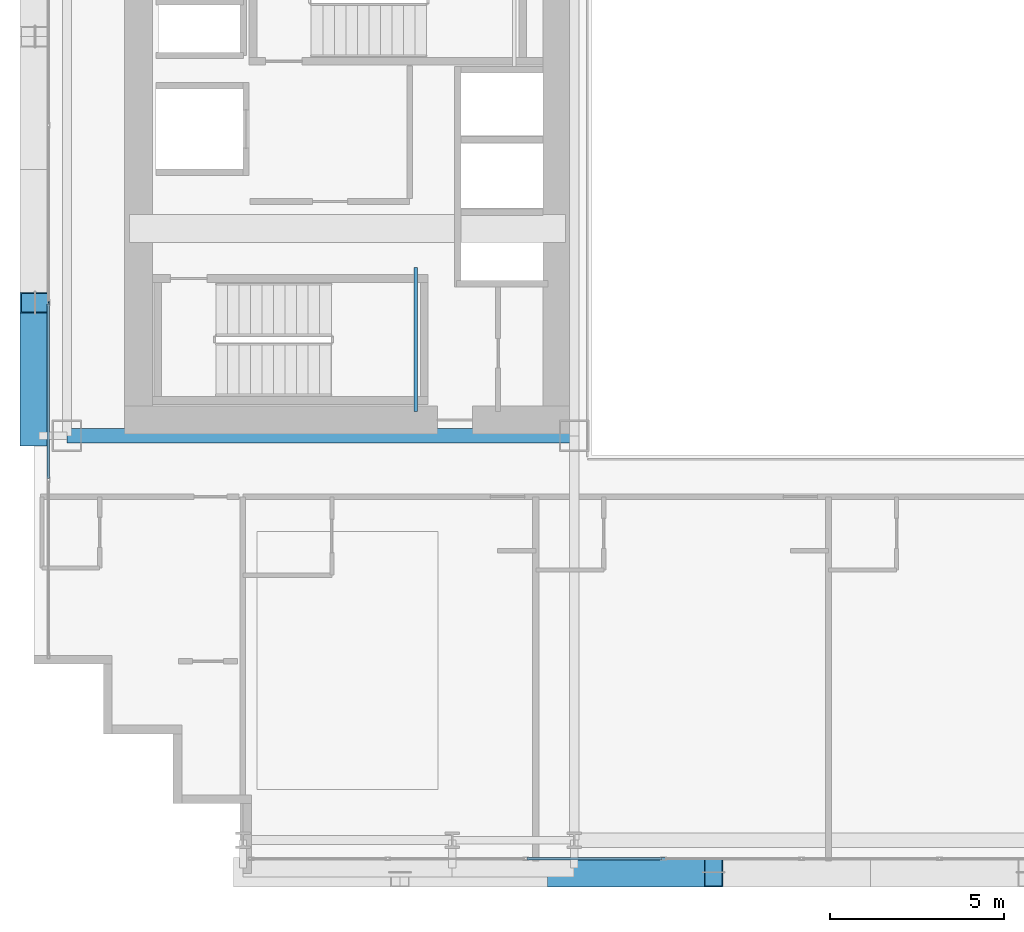
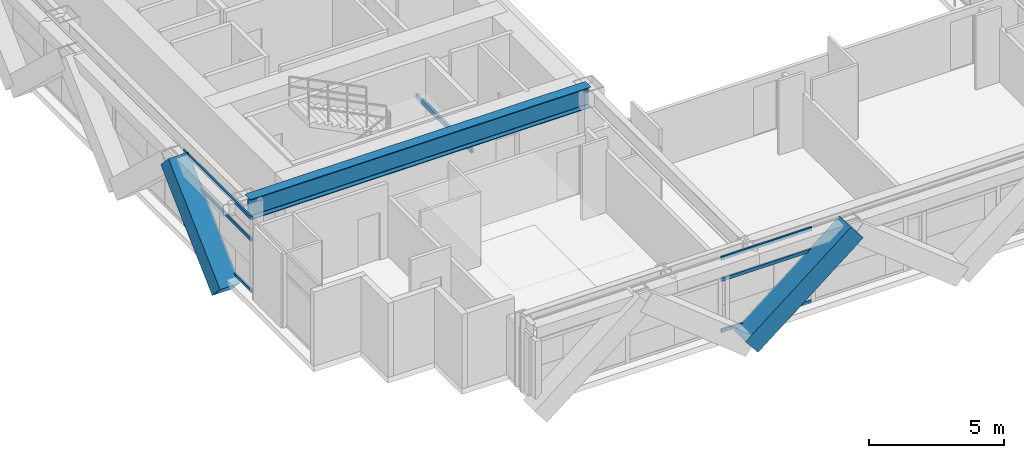
# One storey, part 4 of 35: 8 members, 2 beams, 2 elements without a shape of their own.
"""IFC4 building model written with IfcOpenShell, lengths in metres."""

from ifc_helpers import new_model, si_unit, direction, frame, origin, origin_2d, place, context, subcontext, project, spatial, hollow_rectangle, i_section, extrude, source, transform, mapped, material, layer, layer_set, material_profile, profile_set, type_object, element, aggregate, save


model = new_model("IFC4")

# Units and contexts
model_context = context("Model", 3, precision=1e-05, world=origin(), true_north=direction((0.0, 1.0)))
body_context = subcontext(model_context, "Body", "Model", "MODEL_VIEW")
ifc_project = project(units=[si_unit("LENGTHUNIT", "METRE"), si_unit("AREAUNIT", "SQUARE_METRE"), si_unit("VOLUMEUNIT", "CUBIC_METRE"), si_unit("PLANEANGLEUNIT", "RADIAN"), si_unit("MASSUNIT", "GRAM", prefix="KILO")], contexts=[model_context])

# Site, building, storey
site_placement = place(None, origin())
site = spatial("IfcSite", under=ifc_project, at=site_placement, CompositionType="ELEMENT")
building_placement = place(site_placement, origin())
building = spatial("IfcBuilding", under=site, at=building_placement, Name="Ocotamira Hotel", CompositionType="ELEMENT")
storey_placement = place(building_placement, frame((0.0, 0.0, 63.60009765625)))
storey = spatial("IfcBuildingStorey", under=building, at=storey_placement, Name="L15", CompositionType="ELEMENT", Elevation=63.60009765625)

# Beams
ifc_material_1 = material(Name="Steel ASTM A500 Grade C", Category="steel")
ifc_material_profile_1 = material_profile(ifc_material_1, hollow_rectangle(XDim=0.10009765625, YDim=0.199951171875, WallThickness=0.008056640625, at=origin_2d()), Name="HSS200X100X8")
ifc_profile_set_1 = profile_set([ifc_material_profile_1], Name="Steel ASTM A500 Grade C")
beam_type_1 = type_object("IfcBeamType", Name="BM-STLDG-HSS200", PredefinedType="BEAM", material=ifc_profile_set_1)
shared_shape_1 = source(origin(), body_context, "Body", "SweptSolid", [
    extrude(hollow_rectangle(XDim=0.10009765625, YDim=0.199951171875, WallThickness=0.008056640625, at=origin_2d()), origin(), (0.0, 0.0, 1.0), 4.1201171875),
])
beam_1_placement = place(storey_placement, frame((18.949951171875, 15.25, 1.5), z_axis=(0.0, 1.0, 0.0), x_axis=(-1.0, 0.0, 0.0)))
element("IfcBeam", 1, at=beam_1_placement, inside=storey, type_object=beam_type_1, Name="L15 Stair ST-1 Landing Bearer 1", PredefinedType="BEAM", context=body_context, shape_type="MappedRepresentation", body=[
    mapped(shared_shape_1, transform((0.0, 0.0, 0.0), scale=1.0)),
])
ifc_material_2 = material(Name="Steel ASTM A992 Grade 50", Category="steel")
ifc_material_profile_2 = material_profile(ifc_material_2, i_section(OverallWidth=0.41796875, OverallDepth=0.927001953125, WebThickness=0.019287109375, FlangeThickness=0.031982421875, FilletRadius=0.02392578125, at=origin_2d()), Name="W36X231")
ifc_profile_set_2 = profile_set([ifc_material_profile_2], Name="Steel ASTM A992 Grade 50")
beam_type_2 = type_object("IfcBeamType", Name="BM-GIRD-W36X231", PredefinedType="BEAM", material=ifc_profile_set_2)
shared_shape_2 = source(origin(), body_context, "Body", "SweptSolid", [
    extrude(i_section(OverallWidth=0.41796875, OverallDepth=0.927001953125, WebThickness=0.019287109375, FlangeThickness=0.031982421875, FilletRadius=0.02392578125, at=origin_2d()), origin(), (0.0, 0.0, 1.0), 14.550048828125),
])
beam_2_placement = place(storey_placement, frame((8.949951171875, 14.550048828125, 2.886474609375), z_axis=(1.0, 0.0, 0.0), x_axis=(0.0, 1.0, 0.0)))
element("IfcBeam", 2, at=beam_2_placement, inside=storey, type_object=beam_type_2, Name="L15 Girder Y14.55 X8.95-23.5", PredefinedType="BEAM", context=body_context, shape_type="MappedRepresentation", body=[
    mapped(shared_shape_2, transform((0.0, 0.0, 0.0), scale=1.0)),
])

# Members
ifc_material_3 = material(Name="Pale-metal coated steel ASTM A913 Grade 65", Category="steel")
ifc_material_profile_3 = material_profile(ifc_material_3, hollow_rectangle(XDim=0.85009765625, YDim=0.85009765625, WallThickness=0.035888671875, at=origin_2d()), Name="BOX850X850X36")
ifc_profile_set_3 = profile_set([ifc_material_profile_3], Name="Pale-metal coated steel ASTM A913 Grade 65")
member_type_1 = type_object("IfcMemberType", Name="MEM-EXO-BOX850", PredefinedType="BRACE", material=ifc_profile_set_3)
shared_shape_3 = source(origin(), body_context, "Body", "SweptSolid", [
    extrude(hollow_rectangle(XDim=0.85009765625, YDim=0.85009765625, WallThickness=0.035888671875, at=origin_2d()), origin(), (0.0, 0.0, 1.0), 5.7626953125),
])
member_1_placement = place(storey_placement, frame((23.0, 2.030029296875, -0.5), z_axis=(0.780881208953, 0.0, 0.624679547852), x_axis=(0.0, 1.0, 0.0)))
element("IfcMember", 3, at=member_1_placement, inside=storey, type_object=member_type_1, Name="L15 Exoskeleton Diagrid S1.1", PredefinedType="BRACE", context=body_context, shape_type="MappedRepresentation", body=[
    mapped(shared_shape_3, transform((0.0, 0.0, 0.0), scale=1.0)),
])
shared_shape_4 = source(origin(), body_context, "Body", "SweptSolid", [
    extrude(hollow_rectangle(XDim=0.85009765625, YDim=0.85009765625, WallThickness=0.035888671875, at=origin_2d()), origin(), (0.0, 0.0, 1.0), 5.24658203125),
])
member_2_placement = place(storey_placement, frame((8.030029296875, 14.550048828125, -0.5), z_axis=(0.0, 0.72746596067, 0.686143772154), x_axis=(-1.0, 0.0, 0.0)))
element("IfcMember", 4, at=member_2_placement, inside=storey, type_object=member_type_1, Name="L15 Exoskeleton Diagrid W0.1", PredefinedType="BRACE", context=body_context, shape_type="MappedRepresentation", body=[
    mapped(shared_shape_4, transform((0.0, 0.0, 0.0), scale=1.0)),
])

# Curtain wall, members
ifc_material_4 = material(Name="Anodised pale-metal aluminium and solar glass", Category="aluminium")
ifc_layer = layer(ifc_material_4, 0.179931640625)
ifc_layer_set = layer_set([ifc_layer], Name="Anodised pale-metal aluminium and solar glass")
curtain_wall_type = type_object("IfcCurtainWallType", Name="CW-SYS2-Z1", PredefinedType="NOTDEFINED", material=ifc_layer_set)
curtain_wall_1_placement = place(storey_placement, origin())
curtain_wall_1 = element("IfcCurtainWall", 5, at=curtain_wall_1_placement, inside=storey, type_object=curtain_wall_type, Name="L15 Curtain Wall CW-2 CW-L15-S1", PredefinedType="NOTDEFINED")
ifc_material_5 = material(Name="Anodised pale-metal aluminium 6063-T6", Category="aluminium")
ifc_material_profile_4 = material_profile(ifc_material_5, hollow_rectangle(XDim=0.074951171875, YDim=0.14990234375, WallThickness=0.006103515625, at=origin_2d()), Name="HSS150X75X6")
ifc_profile_set_4 = profile_set([ifc_material_profile_4], Name="Anodised pale-metal aluminium 6063-T6")
member_type_2 = type_object("IfcMemberType", Name="CWT-150X75", PredefinedType="USERDEFINED", material=ifc_profile_set_4)
shared_shape_5 = source(origin(), body_context, "Body", "SweptSolid", [
    extrude(hollow_rectangle(XDim=0.074951171875, YDim=0.14990234375, WallThickness=0.006103515625, at=origin_2d()), origin(), (0.0, 0.0, 1.0), 3.87548828125),
])
member_3_placement = place(storey_placement, frame((22.151123046875, 2.419921875, 0.037353515625), z_axis=(1.0, 0.0, 0.0), x_axis=(0.0, 1.0, 0.0)))
member_3 = element("IfcMember", 6, at=member_3_placement, type_object=member_type_2, Name="CW-2 transom 3.1", ObjectType="TRANSOM", PredefinedType="USERDEFINED", context=body_context, shape_type="MappedRepresentation", body=[
    mapped(shared_shape_5, transform((0.0, 0.0, 0.0), scale=1.0)),
])
member_4_placement = place(storey_placement, frame((22.151123046875, 2.419921875, 2.349853515625), z_axis=(1.0, 0.0, 0.0), x_axis=(0.0, 1.0, 0.0)))
member_4 = element("IfcMember", 7, at=member_4_placement, type_object=member_type_2, Name="CW-2 transom 3.2", ObjectType="TRANSOM", PredefinedType="USERDEFINED", context=body_context, shape_type="MappedRepresentation", body=[
    mapped(shared_shape_5, transform((0.0, 0.0, 0.0), scale=1.0)),
])
member_5_placement = place(storey_placement, frame((22.151123046875, 2.419921875, 3.3125), z_axis=(1.0, 0.0, 0.0), x_axis=(0.0, 1.0, 0.0)))
member_5 = element("IfcMember", 8, at=member_5_placement, type_object=member_type_2, Name="CW-2 transom 3.3", ObjectType="TRANSOM", PredefinedType="USERDEFINED", context=body_context, shape_type="MappedRepresentation", body=[
    mapped(shared_shape_5, transform((0.0, 0.0, 0.0), scale=1.0)),
])
aggregate(curtain_wall_1, [member_3, member_4, member_5])

curtain_wall_2_placement = place(storey_placement, origin())
curtain_wall_2 = element("IfcCurtainWall", 9, at=curtain_wall_2_placement, inside=storey, type_object=curtain_wall_type, Name="L15 Curtain Wall CW-2 CW-L15-W", PredefinedType="NOTDEFINED")
shared_shape_6 = source(origin(), body_context, "Body", "SweptSolid", [
    extrude(hollow_rectangle(XDim=0.074951171875, YDim=0.14990234375, WallThickness=0.006103515625, at=origin_2d()), origin(), (0.0, 0.0, 1.0), 5.005859375),
])
member_6_placement = place(storey_placement, frame((8.419921875, 13.32568359375, 0.037353515625), z_axis=(0.0, 1.0, 0.0), x_axis=(-1.0, 0.0, 0.0)))
member_6 = element("IfcMember", 10, at=member_6_placement, type_object=member_type_2, Name="CW-2 transom 2.1", ObjectType="TRANSOM", PredefinedType="USERDEFINED", context=body_context, shape_type="MappedRepresentation", body=[
    mapped(shared_shape_6, transform((0.0, 0.0, 0.0), scale=1.0)),
])
member_7_placement = place(storey_placement, frame((8.419921875, 13.32568359375, 2.349853515625), z_axis=(0.0, 1.0, 0.0), x_axis=(-1.0, 0.0, 0.0)))
member_7 = element("IfcMember", 11, at=member_7_placement, type_object=member_type_2, Name="CW-2 transom 2.2", ObjectType="TRANSOM", PredefinedType="USERDEFINED", context=body_context, shape_type="MappedRepresentation", body=[
    mapped(shared_shape_6, transform((0.0, 0.0, 0.0), scale=1.0)),
])
member_8_placement = place(storey_placement, frame((8.419921875, 13.32568359375, 3.3125), z_axis=(0.0, 1.0, 0.0), x_axis=(-1.0, 0.0, 0.0)))
member_8 = element("IfcMember", 12, at=member_8_placement, type_object=member_type_2, Name="CW-2 transom 2.3", ObjectType="TRANSOM", PredefinedType="USERDEFINED", context=body_context, shape_type="MappedRepresentation", body=[
    mapped(shared_shape_6, transform((0.0, 0.0, 0.0), scale=1.0)),
])
aggregate(curtain_wall_2, [member_6, member_7, member_8])

save(model, "model.ifc")
